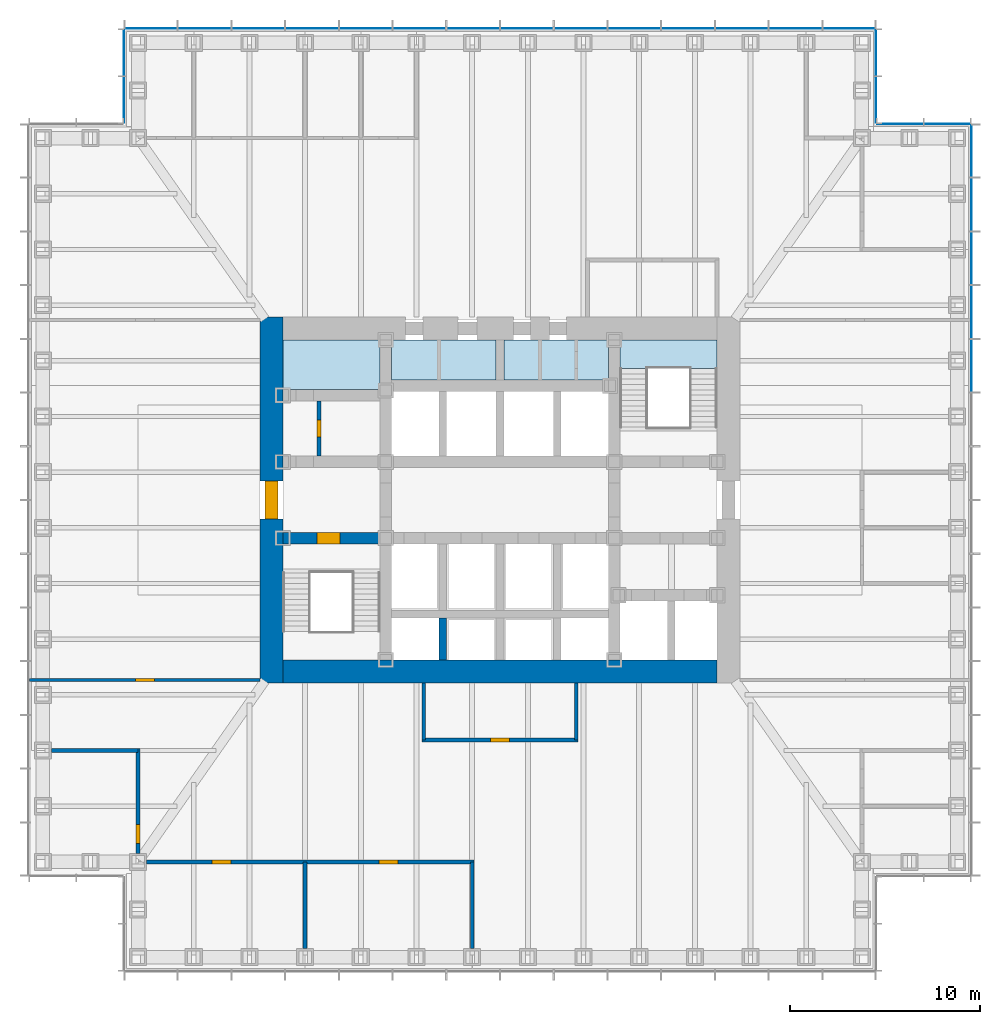
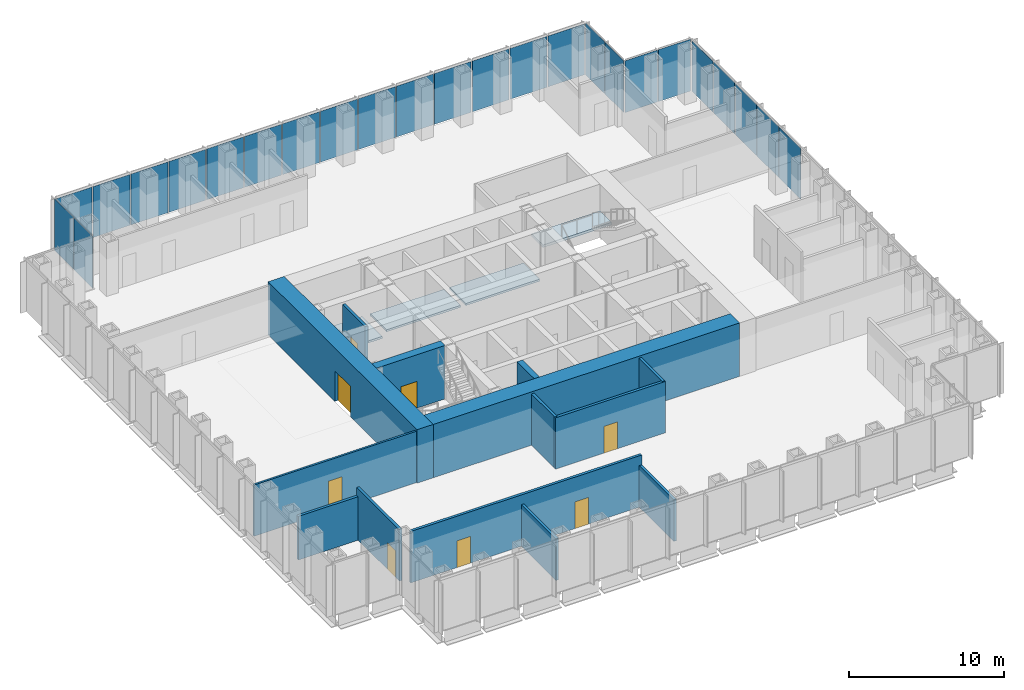
# One storey, part 8 of 16: 25 plates, 14 walls, 8 doors, 4 slabs, 8 openings, 6 elements without a shape of their own.
"""IFC4 building model written with IfcOpenShell, lengths in metres."""

from ifc_helpers import new_model, si_unit, direction, frame, frame_2d, origin, origin_2d, place, context, subcontext, project, spatial, polyline, rectangle, outline, extrude, material, layer, layer_set, type_object, element, fill, aggregate, save


model = new_model("IFC4")

# Units and contexts
model_context = context("Model", 3, precision=1e-05, world=origin(), true_north=direction((0.0, 1.0)))
body_context = subcontext(model_context, "Body", "Model", "MODEL_VIEW")
ifc_project = project(units=[si_unit("LENGTHUNIT", "METRE"), si_unit("AREAUNIT", "SQUARE_METRE"), si_unit("VOLUMEUNIT", "CUBIC_METRE"), si_unit("PLANEANGLEUNIT", "RADIAN"), si_unit("MASSUNIT", "GRAM", prefix="KILO")], contexts=[model_context])

# Site, building, storey
site_placement = place(None, origin())
site = spatial("IfcSite", under=ifc_project, at=site_placement, CompositionType="ELEMENT")
building_placement = place(site_placement, origin())
building = spatial("IfcBuilding", under=site, at=building_placement, Name="Daluyong Arena Tower", CompositionType="ELEMENT")
storey_placement = place(building_placement, frame((0.0, 0.0, 64.300048828125)))
storey = spatial("IfcBuildingStorey", under=building, at=storey_placement, Name="L13", CompositionType="ELEMENT", Elevation=64.300048828125)

# Curtain wall, plates
ifc_material_1 = material(Name="Bronze anodised aluminium and glass", Category="aluminium")
curtain_wall_type_1 = type_object("IfcCurtainWallType", Name="Curtain wall CW1", PredefinedType="USERDEFINED", material=ifc_material_1)
curtain_wall_1_placement = place(storey_placement, origin())
curtain_wall_1 = element("IfcCurtainWall", 1, at=curtain_wall_1_placement, inside=storey, type_object=curtain_wall_type_1, Name="curtain wall L13 E", ObjectType="UNITISED CURTAIN WALL", PredefinedType="USERDEFINED")
ifc_material_2 = material(Name="Tinted double glazed unit", Category="glass")
ifc_layer_1 = layer(ifc_material_2, 0.031982421875)
ifc_layer_set_1 = layer_set([ifc_layer_1], Name="Tinted double glazed unit")
plate_type_1 = type_object("IfcPlateType", Name="CW1 panel 32", PredefinedType="CURTAIN_PANEL", material=ifc_layer_set_1)
plate_1_placement = place(storey_placement, frame((80.75, 87.053466796875, 0.0), z_axis=(0.0, 0.0, 1.0), x_axis=(0.0, 1.0, 0.0)))
plate_1 = element("IfcPlate", 2, at=plate_1_placement, type_object=plate_type_1, Name="curtain wall L13 E panel 10", PredefinedType="CURTAIN_PANEL", context=body_context, shape_type="SweptSolid", body=[
    extrude(rectangle(XDim=2.741455078125, YDim=0.031982421875, at=origin_2d()), origin(), (0.0, 0.0, 1.0), 4.0),
])
plate_2_placement = place(storey_placement, frame((80.75, 89.875, 0.0), z_axis=(0.0, 0.0, 1.0), x_axis=(0.0, 1.0, 0.0)))
plate_2 = element("IfcPlate", 3, at=plate_2_placement, type_object=plate_type_1, Name="curtain wall L13 E panel 11", PredefinedType="CURTAIN_PANEL", context=body_context, shape_type="SweptSolid", body=[
    extrude(rectangle(XDim=2.741455078125, YDim=0.031982421875, at=origin_2d()), origin(), (0.0, 0.0, 1.0), 4.0),
])
plate_3_placement = place(storey_placement, frame((80.75, 92.696533203125, 0.0), z_axis=(0.0, 0.0, 1.0), x_axis=(0.0, 1.0, 0.0)))
plate_3 = element("IfcPlate", 4, at=plate_3_placement, type_object=plate_type_1, Name="curtain wall L13 E panel 12", PredefinedType="CURTAIN_PANEL", context=body_context, shape_type="SweptSolid", body=[
    extrude(rectangle(XDim=2.741455078125, YDim=0.031982421875, at=origin_2d()), origin(), (0.0, 0.0, 1.0), 4.0),
])
plate_4_placement = place(storey_placement, frame((80.75, 95.517822265625, 0.0), z_axis=(0.0, 0.0, 1.0), x_axis=(0.0, 1.0, 0.0)))
plate_4 = element("IfcPlate", 5, at=plate_4_placement, type_object=plate_type_1, Name="curtain wall L13 E panel 13", PredefinedType="CURTAIN_PANEL", context=body_context, shape_type="SweptSolid", body=[
    extrude(rectangle(XDim=2.741455078125, YDim=0.031982421875, at=origin_2d()), origin(), (0.0, 0.0, 1.0), 4.0),
])
plate_5_placement = place(storey_placement, frame((80.75, 98.3193359375, 0.0), z_axis=(0.0, 0.0, 1.0), x_axis=(0.0, 1.0, 0.0)))
plate_5 = element("IfcPlate", 6, at=plate_5_placement, type_object=plate_type_1, Name="curtain wall L13 E panel 14", PredefinedType="CURTAIN_PANEL", context=body_context, shape_type="SweptSolid", body=[
    extrude(rectangle(XDim=2.701416015625, YDim=0.031982421875, at=origin_2d()), origin(), (0.0, 0.0, 1.0), 4.0),
])
aggregate(curtain_wall_1, [plate_1, plate_2, plate_3, plate_4, plate_5])

curtain_wall_2_placement = place(storey_placement, origin())
curtain_wall_2 = element("IfcCurtainWall", 7, at=curtain_wall_2_placement, inside=storey, type_object=curtain_wall_type_1, Name="curtain wall L13 N", ObjectType="UNITISED CURTAIN WALL", PredefinedType="USERDEFINED")
plate_6_placement = place(storey_placement, frame((74.3193359375, 104.75, 0.0), z_axis=(0.0, 0.0, 1.0), x_axis=(-1.0, 0.0, 0.0)))
plate_6 = element("IfcPlate", 8, at=plate_6_placement, type_object=plate_type_1, Name="curtain wall L13 N panel 1", PredefinedType="CURTAIN_PANEL", context=body_context, shape_type="SweptSolid", body=[
    extrude(rectangle(XDim=2.701416015625, YDim=0.031982421875, at=origin_2d()), origin(), (0.0, 0.0, 1.0), 4.0),
])
plate_7_placement = place(storey_placement, frame((71.517822265625, 104.75, 0.0), z_axis=(0.0, 0.0, 1.0), x_axis=(-1.0, 0.0, 0.0)))
plate_7 = element("IfcPlate", 9, at=plate_7_placement, type_object=plate_type_1, Name="curtain wall L13 N panel 2", PredefinedType="CURTAIN_PANEL", context=body_context, shape_type="SweptSolid", body=[
    extrude(rectangle(XDim=2.741455078125, YDim=0.031982421875, at=origin_2d()), origin(), (0.0, 0.0, 1.0), 4.0),
])
plate_8_placement = place(storey_placement, frame((68.696533203125, 104.75, 0.0), z_axis=(0.0, 0.0, 1.0), x_axis=(-1.0, 0.0, 0.0)))
plate_8 = element("IfcPlate", 10, at=plate_8_placement, type_object=plate_type_1, Name="curtain wall L13 N panel 3", PredefinedType="CURTAIN_PANEL", context=body_context, shape_type="SweptSolid", body=[
    extrude(rectangle(XDim=2.741455078125, YDim=0.031982421875, at=origin_2d()), origin(), (0.0, 0.0, 1.0), 4.0),
])
plate_9_placement = place(storey_placement, frame((65.875, 104.75, 0.0), z_axis=(0.0, 0.0, 1.0), x_axis=(-1.0, 0.0, 0.0)))
plate_9 = element("IfcPlate", 11, at=plate_9_placement, type_object=plate_type_1, Name="curtain wall L13 N panel 4", PredefinedType="CURTAIN_PANEL", context=body_context, shape_type="SweptSolid", body=[
    extrude(rectangle(XDim=2.741455078125, YDim=0.031982421875, at=origin_2d()), origin(), (0.0, 0.0, 1.0), 4.0),
])
plate_10_placement = place(storey_placement, frame((63.053466796875, 104.75, 0.0), z_axis=(0.0, 0.0, 1.0), x_axis=(-1.0, 0.0, 0.0)))
plate_10 = element("IfcPlate", 12, at=plate_10_placement, type_object=plate_type_1, Name="curtain wall L13 N panel 5", PredefinedType="CURTAIN_PANEL", context=body_context, shape_type="SweptSolid", body=[
    extrude(rectangle(XDim=2.741455078125, YDim=0.031982421875, at=origin_2d()), origin(), (0.0, 0.0, 1.0), 4.0),
])
plate_11_placement = place(storey_placement, frame((60.232177734375, 104.75, 0.0), z_axis=(0.0, 0.0, 1.0), x_axis=(-1.0, 0.0, 0.0)))
plate_11 = element("IfcPlate", 13, at=plate_11_placement, type_object=plate_type_1, Name="curtain wall L13 N panel 6", PredefinedType="CURTAIN_PANEL", context=body_context, shape_type="SweptSolid", body=[
    extrude(rectangle(XDim=2.741455078125, YDim=0.031982421875, at=origin_2d()), origin(), (0.0, 0.0, 1.0), 4.0),
])
plate_12_placement = place(storey_placement, frame((57.41064453125, 104.75, 0.0), z_axis=(0.0, 0.0, 1.0), x_axis=(-1.0, 0.0, 0.0)))
plate_12 = element("IfcPlate", 14, at=plate_12_placement, type_object=plate_type_1, Name="curtain wall L13 N panel 7", PredefinedType="CURTAIN_PANEL", context=body_context, shape_type="SweptSolid", body=[
    extrude(rectangle(XDim=2.741455078125, YDim=0.031982421875, at=origin_2d()), origin(), (0.0, 0.0, 1.0), 4.0),
])
plate_13_placement = place(storey_placement, frame((54.58935546875, 104.75, 0.0), z_axis=(0.0, 0.0, 1.0), x_axis=(-1.0, 0.0, 0.0)))
plate_13 = element("IfcPlate", 15, at=plate_13_placement, type_object=plate_type_1, Name="curtain wall L13 N panel 8", PredefinedType="CURTAIN_PANEL", context=body_context, shape_type="SweptSolid", body=[
    extrude(rectangle(XDim=2.741455078125, YDim=0.031982421875, at=origin_2d()), origin(), (0.0, 0.0, 1.0), 4.0),
])
plate_14_placement = place(storey_placement, frame((51.767822265625, 104.75, 0.0), z_axis=(0.0, 0.0, 1.0), x_axis=(-1.0, 0.0, 0.0)))
plate_14 = element("IfcPlate", 16, at=plate_14_placement, type_object=plate_type_1, Name="curtain wall L13 N panel 9", PredefinedType="CURTAIN_PANEL", context=body_context, shape_type="SweptSolid", body=[
    extrude(rectangle(XDim=2.741455078125, YDim=0.031982421875, at=origin_2d()), origin(), (0.0, 0.0, 1.0), 4.0),
])
plate_15_placement = place(storey_placement, frame((48.946533203125, 104.75, 0.0), z_axis=(0.0, 0.0, 1.0), x_axis=(-1.0, 0.0, 0.0)))
plate_15 = element("IfcPlate", 17, at=plate_15_placement, type_object=plate_type_1, Name="curtain wall L13 N panel 10", PredefinedType="CURTAIN_PANEL", context=body_context, shape_type="SweptSolid", body=[
    extrude(rectangle(XDim=2.741455078125, YDim=0.031982421875, at=origin_2d()), origin(), (0.0, 0.0, 1.0), 4.0),
])
plate_16_placement = place(storey_placement, frame((46.125, 104.75, 0.0), z_axis=(0.0, 0.0, 1.0), x_axis=(-1.0, 0.0, 0.0)))
plate_16 = element("IfcPlate", 18, at=plate_16_placement, type_object=plate_type_1, Name="curtain wall L13 N panel 11", PredefinedType="CURTAIN_PANEL", context=body_context, shape_type="SweptSolid", body=[
    extrude(rectangle(XDim=2.741455078125, YDim=0.031982421875, at=origin_2d()), origin(), (0.0, 0.0, 1.0), 4.0),
])
plate_17_placement = place(storey_placement, frame((43.303466796875, 104.75, 0.0), z_axis=(0.0, 0.0, 1.0), x_axis=(-1.0, 0.0, 0.0)))
plate_17 = element("IfcPlate", 19, at=plate_17_placement, type_object=plate_type_1, Name="curtain wall L13 N panel 12", PredefinedType="CURTAIN_PANEL", context=body_context, shape_type="SweptSolid", body=[
    extrude(rectangle(XDim=2.741455078125, YDim=0.031982421875, at=origin_2d()), origin(), (0.0, 0.0, 1.0), 4.0),
])
plate_18_placement = place(storey_placement, frame((40.482177734375, 104.75, 0.0), z_axis=(0.0, 0.0, 1.0), x_axis=(-1.0, 0.0, 0.0)))
plate_18 = element("IfcPlate", 20, at=plate_18_placement, type_object=plate_type_1, Name="curtain wall L13 N panel 13", PredefinedType="CURTAIN_PANEL", context=body_context, shape_type="SweptSolid", body=[
    extrude(rectangle(XDim=2.741455078125, YDim=0.031982421875, at=origin_2d()), origin(), (0.0, 0.0, 1.0), 4.0),
])
plate_19_placement = place(storey_placement, frame((37.6806640625, 104.75, 0.0), z_axis=(0.0, 0.0, 1.0), x_axis=(-1.0, 0.0, 0.0)))
plate_19 = element("IfcPlate", 21, at=plate_19_placement, type_object=plate_type_1, Name="curtain wall L13 N panel 14", PredefinedType="CURTAIN_PANEL", context=body_context, shape_type="SweptSolid", body=[
    extrude(rectangle(XDim=2.701416015625, YDim=0.031982421875, at=origin_2d()), origin(), (0.0, 0.0, 1.0), 4.0),
])
aggregate(curtain_wall_2, [plate_6, plate_7, plate_8, plate_9, plate_10, plate_11, plate_12, plate_13, plate_14, plate_15, plate_16, plate_17, plate_18, plate_19])

ifc_material_3 = material(Name="Bronze anodised aluminium and glass", Category="aluminium")
curtain_wall_type_2 = type_object("IfcCurtainWallType", Name="Curtain wall CW7", PredefinedType="USERDEFINED", material=ifc_material_3)
curtain_wall_3_placement = place(storey_placement, origin())
curtain_wall_3 = element("IfcCurtainWall", 22, at=curtain_wall_3_placement, inside=storey, type_object=curtain_wall_type_2, Name="curtain wall L13 NE-N", ObjectType="UNITISED CURTAIN WALL", PredefinedType="USERDEFINED")
ifc_material_4 = material(Name="Tinted double glazed unit", Category="glass")
ifc_layer_2 = layer(ifc_material_4, 0.028076171875)
ifc_layer_set_2 = layer_set([ifc_layer_2], Name="Tinted double glazed unit")
plate_type_2 = type_object("IfcPlateType", Name="CW7 panel 28", PredefinedType="CURTAIN_PANEL", material=ifc_layer_set_2)
plate_20_placement = place(storey_placement, frame((79.485107421875, 99.75, 0.0), z_axis=(0.0, 0.0, 1.0), x_axis=(-1.0, 0.0, 0.0)))
plate_20 = element("IfcPlate", 23, at=plate_20_placement, type_object=plate_type_2, Name="curtain wall L13 NE-N panel 1", PredefinedType="CURTAIN_PANEL", context=body_context, shape_type="SweptSolid", body=[
    extrude(rectangle(XDim=2.409912109375, YDim=0.028076171875, at=origin_2d()), origin(), (0.0, 0.0, 1.0), 4.080078125),
])
plate_21_placement = place(storey_placement, frame((77.014892578125, 99.75, 0.0), z_axis=(0.0, 0.0, 1.0), x_axis=(-1.0, 0.0, 0.0)))
plate_21 = element("IfcPlate", 24, at=plate_21_placement, type_object=plate_type_2, Name="curtain wall L13 NE-N panel 2", PredefinedType="CURTAIN_PANEL", context=body_context, shape_type="SweptSolid", body=[
    extrude(rectangle(XDim=2.409912109375, YDim=0.028076171875, at=origin_2d()), origin(), (0.0, 0.0, 1.0), 4.080078125),
])
aggregate(curtain_wall_3, [plate_20, plate_21])

curtain_wall_4_placement = place(storey_placement, origin())
curtain_wall_4 = element("IfcCurtainWall", 25, at=curtain_wall_4_placement, inside=storey, type_object=curtain_wall_type_2, Name="curtain wall L13 NE-E", ObjectType="UNITISED CURTAIN WALL", PredefinedType="USERDEFINED")
plate_22_placement = place(storey_placement, frame((75.75, 101.014892578125, 0.0), z_axis=(0.0, 0.0, 1.0), x_axis=(0.0, 1.0, 0.0)))
plate_22 = element("IfcPlate", 26, at=plate_22_placement, type_object=plate_type_2, Name="curtain wall L13 NE-E panel 1", PredefinedType="CURTAIN_PANEL", context=body_context, shape_type="SweptSolid", body=[
    extrude(rectangle(XDim=2.409912109375, YDim=0.028076171875, at=origin_2d()), origin(), (0.0, 0.0, 1.0), 4.080078125),
])
plate_23_placement = place(storey_placement, frame((75.75, 103.485107421875, 0.0), z_axis=(0.0, 0.0, 1.0), x_axis=(0.0, 1.0, 0.0)))
plate_23 = element("IfcPlate", 27, at=plate_23_placement, type_object=plate_type_2, Name="curtain wall L13 NE-E panel 2", PredefinedType="CURTAIN_PANEL", context=body_context, shape_type="SweptSolid", body=[
    extrude(rectangle(XDim=2.409912109375, YDim=0.028076171875, at=origin_2d()), origin(), (0.0, 0.0, 1.0), 4.080078125),
])
aggregate(curtain_wall_4, [plate_22, plate_23])

curtain_wall_5_placement = place(storey_placement, origin())
curtain_wall_5 = element("IfcCurtainWall", 28, at=curtain_wall_5_placement, inside=storey, type_object=curtain_wall_type_2, Name="curtain wall L13 NW-W", ObjectType="UNITISED CURTAIN WALL", PredefinedType="USERDEFINED")
plate_24_placement = place(storey_placement, frame((36.25, 103.485107421875, 0.0), z_axis=(0.0, 0.0, 1.0), x_axis=(0.0, -1.0, 0.0)))
plate_24 = element("IfcPlate", 29, at=plate_24_placement, type_object=plate_type_2, Name="curtain wall L13 NW-W panel 1", PredefinedType="CURTAIN_PANEL", context=body_context, shape_type="SweptSolid", body=[
    extrude(rectangle(XDim=2.409912109375, YDim=0.028076171875, at=origin_2d()), origin(), (0.0, 0.0, 1.0), 4.080078125),
])
plate_25_placement = place(storey_placement, frame((36.25, 101.014892578125, 0.0), z_axis=(0.0, 0.0, 1.0), x_axis=(0.0, -1.0, 0.0)))
plate_25 = element("IfcPlate", 30, at=plate_25_placement, type_object=plate_type_2, Name="curtain wall L13 NW-W panel 2", PredefinedType="CURTAIN_PANEL", context=body_context, shape_type="SweptSolid", body=[
    extrude(rectangle(XDim=2.409912109375, YDim=0.028076171875, at=origin_2d()), origin(), (0.0, 0.0, 1.0), 4.080078125),
])
aggregate(curtain_wall_5, [plate_24, plate_25])

# Stair, slab
ifc_material_5 = material(Name="Concrete fc' 35 MPa", Category="concrete")
stair_type = type_object("IfcStairType", Name="Core exit stair", PredefinedType="HALF_TURN_STAIR", material=ifc_material_5)
stair_placement = place(storey_placement, origin())
stair = element("IfcStair", 31, at=stair_placement, inside=storey, type_object=stair_type, Name="exit stair B L13", PredefinedType="HALF_TURN_STAIR")
ifc_material_6 = material(Name="Concrete fc' 35 MPa", Category="concrete")
ifc_layer_3 = layer(ifc_material_6, 0.199951171875)
ifc_layer_set_3 = layer_set([ifc_layer_3], Name="Concrete fc' 35 MPa")
slab_type_1 = type_object("IfcSlabType", Name="Stair landing 200", PredefinedType="LANDING", material=ifc_layer_set_3)
slab_1_placement = place(storey_placement, frame((0.0, 0.0, 1.89990234375)))
slab_1 = element("IfcSlab", 32, at=slab_1_placement, type_object=slab_type_1, Name="STB landing 1", PredefinedType="LANDING", context=body_context, shape_type="SweptSolid", body=[
    extrude(outline(polyline([(62.300048828125, 86.905029296875), (67.39990234375, 86.905029296875), (67.39990234375, 88.39990234375), (62.300048828125, 88.39990234375), (62.300048828125, 86.905029296875)])), origin(), (0.0, 0.0, 1.0), 0.199951171875),
])
aggregate(stair, [slab_1])

# Slabs
ifc_material_7 = material(Name="Concrete fc' 35 MPa", Category="concrete")
ifc_layer_4 = layer(ifc_material_7, 0.159912109375)
ifc_layer_set_4 = layer_set([ifc_layer_4], Name="Concrete fc' 35 MPa")
slab_type_2 = type_object("IfcSlabType", Name="Tower floor slab 160", PredefinedType="FLOOR", material=ifc_layer_set_4)
slab_2_placement = place(storey_placement, frame((0.0, 0.0, -0.16015625)))
element("IfcSlab", 33, at=slab_2_placement, inside=storey, type_object=slab_type_2, Name="floor L13 part 4", PredefinedType="FLOOR", context=body_context, shape_type="SweptSolid", body=[
    extrude(outline(polyline([(44.60009765625, 88.39990234375), (44.60009765625, 85.800048828125), (49.699951171875, 85.800048828125), (49.699951171875, 88.39990234375), (44.60009765625, 88.39990234375)])), origin(), (0.0, 0.0, 1.0), 0.16015625),
])
slab_3_placement = place(storey_placement, frame((0.0, 0.0, -0.16015625)))
element("IfcSlab", 34, at=slab_3_placement, inside=storey, type_object=slab_type_2, Name="floor L13 part 6", PredefinedType="FLOOR", context=body_context, shape_type="SweptSolid", body=[
    extrude(outline(polyline([(50.300048828125, 88.39990234375), (50.300048828125, 86.300048828125), (55.800048828125, 86.300048828125), (55.800048828125, 88.39990234375), (50.300048828125, 88.39990234375)])), origin(), (0.0, 0.0, 1.0), 0.16015625),
])
slab_4_placement = place(storey_placement, frame((0.0, 0.0, -0.16015625)))
element("IfcSlab", 35, at=slab_4_placement, inside=storey, type_object=slab_type_2, Name="floor L13 part 13", PredefinedType="FLOOR", context=body_context, shape_type="SweptSolid", body=[
    extrude(outline(polyline([(56.199951171875, 86.300048828125), (61.699951171875, 86.300048828125), (61.699951171875, 88.39990234375), (56.199951171875, 88.39990234375), (56.199951171875, 86.300048828125)])), origin(), (0.0, 0.0, 1.0), 0.16015625),
])

# Wall, opening, door
ifc_material_8 = material(Name="Concrete fc' 60 MPa", Category="concrete")
ifc_layer_5 = layer(ifc_material_8, 0.60009765625)
ifc_layer_set_5 = layer_set([ifc_layer_5], Name="Concrete fc' 60 MPa")
wall_type_1 = type_object("IfcWallType", Name="Core inner wall 600", PredefinedType="SHEAR", material=ifc_layer_set_5)
wall_1_placement = place(storey_placement, frame((44.60009765625, 78.0, 0.0), z_axis=(0.0, 0.0, 1.0), x_axis=(1.0, 0.0, 0.0)))
wall_1 = element("IfcWall", 36, at=wall_1_placement, inside=storey, type_object=wall_type_1, Name="core inner wall at L13", PredefinedType="SHEAR", context=body_context, shape_type="SweptSolid", body=[
    extrude(rectangle(XDim=5.099853515625, YDim=0.60009765625, at=frame_2d((2.5498046875, 0.0))), origin(), (0.0, 0.0, 1.0), 4.199951171875),
])
opening_1_placement = place(wall_1_placement, frame((1.800048828125, 0.0, 0.0)))
opening_1 = element("IfcOpeningElement", 37, at=opening_1_placement, cuts=wall_1, Name="Opening 13009", PredefinedType="OPENING", context=body_context, shape_type="SweptSolid", body=[
    extrude(rectangle(XDim=1.199951171875, YDim=2.10009765625, at=frame_2d((0.60009765625, 1.050048828125))), frame((0.0, 0.31005859375, 0.0), z_axis=(0.0, -1.0, 0.0), x_axis=(1.0, 0.0, 0.0)), (0.0, 0.0, 1.0), 0.6201171875),
])
ifc_material_9 = material(Name="Steel door, fire rated", Category="steel")
door_type_1 = type_object("IfcDoorType", Name="Stair door 1200", OperationType="SINGLE_SWING_LEFT", PredefinedType="DOOR", material=ifc_material_9)
door_1_placement = place(opening_1_placement, origin())
door_1 = element("IfcDoor", 38, at=door_1_placement, inside=storey, type_object=door_type_1, Name="stair A door 13009", OperationType="SINGLE_SWING_LEFT", OverallHeight=2.10009765625, OverallWidth=1.199951171875, PredefinedType="DOOR", context=body_context, shape_type="SweptSolid", body=[
    extrude(rectangle(XDim=1.199951171875, YDim=2.10009765625, at=frame_2d((0.60009765625, 1.050048828125))), frame((0.0, 0.2998046875, 0.0), z_axis=(0.0, -1.0, 0.0), x_axis=(1.0, 0.0, 0.0)), (0.0, 0.0, 1.0), 0.599609375),
])
fill(opening_1, door_1)

ifc_material_10 = material(Name="Concrete fc' 60 MPa", Category="concrete")
ifc_layer_6 = layer(ifc_material_10, 1.199951171875)
ifc_layer_set_6 = layer_set([ifc_layer_6], Name="Concrete fc' 60 MPa")
wall_type_2 = type_object("IfcWallType", Name="Core wall 1200", PredefinedType="SHEAR", material=ifc_layer_set_6)
wall_2_placement = place(storey_placement, frame((44.0, 70.39990234375, 0.0), z_axis=(0.0, 0.0, 1.0), x_axis=(0.0, 1.0, 0.0)))
wall_2 = element("IfcWall", 39, at=wall_2_placement, inside=storey, type_object=wall_type_2, Name="core wall at L13", PredefinedType="SHEAR", context=body_context, shape_type="SweptSolid", body=[
    extrude(rectangle(XDim=19.2001953125, YDim=1.199951171875, at=frame_2d((9.60009765625, 0.0))), origin(), (0.0, 0.0, 1.0), 4.199951171875),
])
opening_2_placement = place(wall_2_placement, frame((8.60009765625, 0.0, 0.0)))
opening_2 = element("IfcOpeningElement", 40, at=opening_2_placement, cuts=wall_2, Name="Opening 13011", PredefinedType="OPENING", context=body_context, shape_type="SweptSolid", body=[
    extrude(rectangle(XDim=2.0, YDim=2.39990234375, at=frame_2d((1.0, 1.199951171875))), frame((0.0, 0.60986328125, 0.0), z_axis=(0.0, -1.0, 0.0), x_axis=(1.0, 0.0, 0.0)), (0.0, 0.0, 1.0), 1.219970703125),
])
ifc_material_11 = material(Name="Steel door, fire rated", Category="steel")
door_type_2 = type_object("IfcDoorType", Name="Core lobby double door 2000", OperationType="DOUBLE_DOOR_SINGLE_SWING", PredefinedType="DOOR", material=ifc_material_11)
door_2_placement = place(opening_2_placement, origin())
door_2 = element("IfcDoor", 41, at=door_2_placement, inside=storey, type_object=door_type_2, Name="core lobby door west 13011", OperationType="DOUBLE_DOOR_SINGLE_SWING", OverallHeight=2.39990234375, OverallWidth=2.0, PredefinedType="DOOR", context=body_context, shape_type="SweptSolid", body=[
    extrude(rectangle(XDim=2.0, YDim=2.39990234375, at=frame_2d((1.0, 1.199951171875))), frame((0.0, 0.35009765625, 0.0), z_axis=(0.0, -1.0, 0.0), x_axis=(1.0, 0.0, 0.0)), (0.0, 0.0, 1.0), 0.699951171875),
])
fill(opening_2, door_2)

# Wall
wall_3_placement = place(storey_placement, frame((44.60009765625, 71.0, 0.0), z_axis=(0.0, 0.0, 1.0), x_axis=(1.0, 0.0, 0.0)))
element("IfcWall", 42, at=wall_3_placement, inside=storey, type_object=wall_type_2, Name="core wall at L13", PredefinedType="SHEAR", context=body_context, shape_type="SweptSolid", body=[
    extrude(rectangle(XDim=22.7998046875, YDim=1.199951171875, at=frame_2d((11.39990234375, 0.0))), origin(), (0.0, 0.0, 1.0), 4.199951171875),
])

# Wall, opening, door
ifc_material_12 = material(Name="Concrete block partition, fire rated", Category="concrete")
ifc_layer_7 = layer(ifc_material_12, 0.199951171875)
ifc_layer_set_7 = layer_set([ifc_layer_7], Name="Concrete block partition, fire rated")
wall_type_3 = type_object("IfcWallType", Name="Fire-rated partition 200", PredefinedType="PARTITIONING", material=ifc_layer_set_7)
wall_4_placement = place(storey_placement, frame((46.5, 82.300048828125, 0.0), z_axis=(0.0, 0.0, 1.0), x_axis=(0.0, 1.0, 0.0)))
wall_4 = element("IfcWall", 43, at=wall_4_placement, inside=storey, type_object=wall_type_3, Name="toilet lobby partition at L13", PredefinedType="PARTITIONING", context=body_context, shape_type="SweptSolid", body=[
    extrude(rectangle(XDim=2.89990234375, YDim=0.199951171875, at=frame_2d((1.449951171875, 0.0))), origin(), (0.0, 0.0, 1.0), 4.0400390625),
])
opening_3_placement = place(wall_4_placement, frame((1.0, 0.0, 0.0)))
opening_3 = element("IfcOpeningElement", 44, at=opening_3_placement, cuts=wall_4, Name="Opening 13002", PredefinedType="OPENING", context=body_context, shape_type="SweptSolid", body=[
    extrude(rectangle(XDim=0.89990234375, YDim=2.10009765625, at=frame_2d((0.449951171875, 1.050048828125))), frame((0.0, 0.10986328125, 0.0), z_axis=(0.0, -1.0, 0.0), x_axis=(1.0, 0.0, 0.0)), (0.0, 0.0, 1.0), 0.219970703125),
])
ifc_material_13 = material(Name="Timber door", Category="wood")
door_type_3 = type_object("IfcDoorType", Name="Toilet door 900", OperationType="SINGLE_SWING_RIGHT", PredefinedType="DOOR", material=ifc_material_13)
door_3_placement = place(opening_3_placement, origin())
door_3 = element("IfcDoor", 45, at=door_3_placement, inside=storey, type_object=door_type_3, Name="male toilet door 13002", OperationType="SINGLE_SWING_RIGHT", OverallHeight=2.10009765625, OverallWidth=0.89990234375, PredefinedType="DOOR", context=body_context, shape_type="SweptSolid", body=[
    extrude(rectangle(XDim=0.89990234375, YDim=2.10009765625, at=frame_2d((0.449951171875, 1.050048828125))), frame((0.0, 0.099609375, 0.0), z_axis=(0.0, -1.0, 0.0), x_axis=(1.0, 0.0, 0.0)), (0.0, 0.0, 1.0), 0.199462890625),
])
fill(opening_3, door_3)

ifc_material_14 = material(Name="Glazed aluminium partition", Category="aluminium")
ifc_layer_8 = layer(ifc_material_14, 0.14990234375)
ifc_layer_set_8 = layer_set([ifc_layer_8], Name="Glazed aluminium partition")
wall_type_4 = type_object("IfcWallType", Name="Glazed partition 150", PredefinedType="PARTITIONING", material=ifc_layer_set_8)
wall_5_placement = place(storey_placement, frame((31.31005859375, 70.550048828125, 0.0), z_axis=(0.0, 0.0, 1.0), x_axis=(1.0, 0.0, 0.0)))
wall_5 = element("IfcWall", 46, at=wall_5_placement, inside=storey, type_object=wall_type_4, Name="glazed partition at L13", PredefinedType="PARTITIONING", context=body_context, shape_type="SweptSolid", body=[
    extrude(rectangle(XDim=12.08984375, YDim=0.14990234375, at=frame_2d((6.044921875, 0.0))), origin(), (0.0, 0.0, 1.0), 4.0400390625),
])
opening_4_placement = place(wall_5_placement, frame((5.544921875, 0.0, 0.0)))
opening_4 = element("IfcOpeningElement", 47, at=opening_4_placement, cuts=wall_5, Name="Opening 13037", PredefinedType="OPENING", context=body_context, shape_type="SweptSolid", body=[
    extrude(rectangle(XDim=1.0, YDim=2.39990234375, at=frame_2d((0.5, 1.199951171875))), frame((0.0, 0.0849609375, 0.0), z_axis=(0.0, -1.0, 0.0), x_axis=(1.0, 0.0, 0.0)), (0.0, 0.0, 1.0), 0.169921875),
])
ifc_material_15 = material(Name="Glazed aluminium door", Category="aluminium")
door_type_4 = type_object("IfcDoorType", Name="Meeting room glazed door 1000", OperationType="SINGLE_SWING_RIGHT", PredefinedType="DOOR", material=ifc_material_15)
door_4_placement = place(opening_4_placement, origin())
door_4 = element("IfcDoor", 48, at=door_4_placement, inside=storey, type_object=door_type_4, Name="team area screen door 13037", OperationType="SINGLE_SWING_RIGHT", OverallHeight=2.39990234375, OverallWidth=1.0, PredefinedType="DOOR", context=body_context, shape_type="SweptSolid", body=[
    extrude(rectangle(XDim=1.0, YDim=2.39990234375, at=frame_2d((0.5, 1.199951171875))), frame((0.0, 0.07470703125, 0.0), z_axis=(0.0, -1.0, 0.0), x_axis=(1.0, 0.0, 0.0)), (0.0, 0.0, 1.0), 0.1494140625),
])
fill(opening_4, door_4)

# Walls
ifc_material_16 = material(Name="Concrete fc' 45 MPa", Category="concrete")
ifc_layer_9 = layer(ifc_material_16, 0.39990234375)
ifc_layer_set_9 = layer_set([ifc_layer_9], Name="Concrete fc' 45 MPa")
wall_type_5 = type_object("IfcWallType", Name="Lift shaft wall 400", PredefinedType="SHEAR", material=ifc_layer_set_9)
wall_6_placement = place(storey_placement, frame((53.0, 71.60009765625, 0.0), z_axis=(0.0, 0.0, 1.0), x_axis=(0.0, 1.0, 0.0)))
element("IfcWall", 49, at=wall_6_placement, inside=storey, type_object=wall_type_5, Name="lift shaft wall at L13", PredefinedType="SHEAR", context=body_context, shape_type="SweptSolid", body=[
    extrude(rectangle(XDim=2.199951171875, YDim=0.39990234375, at=frame_2d((1.10009765625, 0.0))), origin(), (0.0, 0.0, 1.0), 4.199951171875),
])
ifc_material_17 = material(Name="Concrete block partition", Category="concrete")
ifc_layer_10 = layer(ifc_material_17, 0.199951171875)
ifc_layer_set_10 = layer_set([ifc_layer_10], Name="Concrete block partition")
wall_type_6 = type_object("IfcWallType", Name="Partition 200", PredefinedType="PARTITIONING", material=ifc_layer_set_10)
for number, where, z_axis, x_axis, name in (
    (50, (45.769287109375, 56.449951171875, 0.0), (0.0, 0.0, 1.0), (0.0, 1.0, 0.0), "partition at L13"),
    (51, (54.53857421875, 56.449951171875, 0.0), (0.0, 0.0, 1.0), (0.0, 1.0, 0.0), "partition at L13"),
):
    element("IfcWall", number, at=place(storey_placement, frame(where, z_axis=z_axis, x_axis=x_axis)), inside=storey, type_object=wall_type_6, Name=name, PredefinedType="PARTITIONING", context=body_context, shape_type="SweptSolid", body=[
        extrude(rectangle(XDim=4.550048828125, YDim=0.199951171875, at=frame_2d((2.27490234375, 0.0))), origin(), (0.0, 0.0, 1.0), 3.27783203125),
    ])
wall_7_placement = place(storey_placement, frame((32.449951171875, 66.84619140625, 0.0), z_axis=(0.0, 0.0, 1.0), x_axis=(1.0, 0.0, 0.0)))
element("IfcWall", 52, at=wall_7_placement, inside=storey, type_object=wall_type_6, Name="partition at L13", PredefinedType="PARTITIONING", context=body_context, shape_type="SweptSolid", body=[
    extrude(rectangle(XDim=4.550048828125, YDim=0.199951171875, at=frame_2d((2.27490234375, 0.0))), origin(), (0.0, 0.0, 1.0), 3.427734375),
])
for number, where, z_axis, x_axis, name in (
    (53, (52.0, 67.39990234375, 0.0), (0.0, 0.0, 1.0), (0.0, 1.0, 0.0), "partition at L13"),
    (54, (60.0, 67.39990234375, 0.0), (0.0, 0.0, 1.0), (0.0, 1.0, 0.0), "partition at L13"),
):
    element("IfcWall", number, at=place(storey_placement, frame(where, z_axis=z_axis, x_axis=x_axis)), inside=storey, type_object=wall_type_6, Name=name, PredefinedType="PARTITIONING", context=body_context, shape_type="SweptSolid", body=[
        extrude(rectangle(XDim=3.0, YDim=0.199951171875, at=frame_2d((1.5, 0.0))), origin(), (0.0, 0.0, 1.0), 4.0400390625),
    ])

# Wall, openings, doors
wall_8_placement = place(storey_placement, frame((37.449951171875, 61.0, 0.0), z_axis=(0.0, 0.0, 1.0), x_axis=(1.0, 0.0, 0.0)))
wall_8 = element("IfcWall", 55, at=wall_8_placement, inside=storey, type_object=wall_type_6, Name="partition at L13", PredefinedType="PARTITIONING", context=body_context, shape_type="SweptSolid", body=[
    extrude(rectangle(XDim=17.1884765625, YDim=0.199951171875, at=frame_2d((8.59423828125, 0.0))), origin(), (0.0, 0.0, 1.0), 4.0400390625),
])
opening_5_placement = place(wall_8_placement, frame((3.4345703125, 0.0, 0.0)))
opening_5 = element("IfcOpeningElement", 56, at=opening_5_placement, cuts=wall_8, Name="Opening 13022", PredefinedType="OPENING", context=body_context, shape_type="SweptSolid", body=[
    extrude(rectangle(XDim=1.0, YDim=2.10009765625, at=frame_2d((0.5, 1.050048828125))), frame((0.0, 0.10986328125, 0.0), z_axis=(0.0, -1.0, 0.0), x_axis=(1.0, 0.0, 0.0)), (0.0, 0.0, 1.0), 0.219970703125),
])
opening_6_placement = place(wall_8_placement, frame((12.203857421875, 0.0, 0.0)))
opening_6 = element("IfcOpeningElement", 57, at=opening_6_placement, cuts=wall_8, Name="Opening 13023", PredefinedType="OPENING", context=body_context, shape_type="SweptSolid", body=[
    extrude(rectangle(XDim=1.0, YDim=2.10009765625, at=frame_2d((0.5, 1.050048828125))), frame((0.0, 0.10986328125, 0.0), z_axis=(0.0, -1.0, 0.0), x_axis=(1.0, 0.0, 0.0)), (0.0, 0.0, 1.0), 0.219970703125),
])
ifc_material_18 = material(Name="Timber door", Category="wood")
door_type_5 = type_object("IfcDoorType", Name="Room door 1000", OperationType="SINGLE_SWING_LEFT", PredefinedType="DOOR", material=ifc_material_18)
door_5_placement = place(opening_5_placement, origin())
door_5 = element("IfcDoor", 58, at=door_5_placement, inside=storey, type_object=door_type_5, Name="training room door 13022", OperationType="SINGLE_SWING_LEFT", OverallHeight=2.10009765625, OverallWidth=1.0, PredefinedType="DOOR", context=body_context, shape_type="SweptSolid", body=[
    extrude(rectangle(XDim=1.0, YDim=2.10009765625, at=frame_2d((0.5, 1.050048828125))), frame((0.0, 0.099609375, 0.0), z_axis=(0.0, -1.0, 0.0), x_axis=(1.0, 0.0, 0.0)), (0.0, 0.0, 1.0), 0.199462890625),
])
fill(opening_5, door_5)
door_6_placement = place(opening_6_placement, origin())
door_6 = element("IfcDoor", 59, at=door_6_placement, inside=storey, type_object=door_type_5, Name="training room door 13023", OperationType="SINGLE_SWING_LEFT", OverallHeight=2.10009765625, OverallWidth=1.0, PredefinedType="DOOR", context=body_context, shape_type="SweptSolid", body=[
    extrude(rectangle(XDim=1.0, YDim=2.10009765625, at=frame_2d((0.5, 1.050048828125))), frame((0.0, 0.099609375, 0.0), z_axis=(0.0, -1.0, 0.0), x_axis=(1.0, 0.0, 0.0)), (0.0, 0.0, 1.0), 0.199462890625),
])
fill(opening_6, door_6)

# Wall, opening, door
wall_9_placement = place(storey_placement, frame((51.89990234375, 67.39990234375, 0.0), z_axis=(0.0, 0.0, 1.0), x_axis=(1.0, 0.0, 0.0)))
wall_9 = element("IfcWall", 60, at=wall_9_placement, inside=storey, type_object=wall_type_6, Name="partition at L13", PredefinedType="PARTITIONING", context=body_context, shape_type="SweptSolid", body=[
    extrude(rectangle(XDim=8.2001953125, YDim=0.199951171875, at=frame_2d((4.10009765625, 0.0))), origin(), (0.0, 0.0, 1.0), 4.0400390625),
])
opening_7_placement = place(wall_9_placement, frame((3.60009765625, 0.0, 0.0)))
opening_7 = element("IfcOpeningElement", 61, at=opening_7_placement, cuts=wall_9, Name="Opening 13036", PredefinedType="OPENING", context=body_context, shape_type="SweptSolid", body=[
    extrude(rectangle(XDim=1.0, YDim=2.10009765625, at=frame_2d((0.5, 1.050048828125))), frame((0.0, 0.10986328125, 0.0), z_axis=(0.0, -1.0, 0.0), x_axis=(1.0, 0.0, 0.0)), (0.0, 0.0, 1.0), 0.219970703125),
])
door_7_placement = place(opening_7_placement, origin())
door_7 = element("IfcDoor", 62, at=door_7_placement, inside=storey, type_object=door_type_5, Name="comms room door 13036", OperationType="SINGLE_SWING_LEFT", OverallHeight=2.10009765625, OverallWidth=1.0, PredefinedType="DOOR", context=body_context, shape_type="SweptSolid", body=[
    extrude(rectangle(XDim=1.0, YDim=2.10009765625, at=frame_2d((0.5, 1.050048828125))), frame((0.0, 0.099609375, 0.0), z_axis=(0.0, -1.0, 0.0), x_axis=(1.0, 0.0, 0.0)), (0.0, 0.0, 1.0), 0.199462890625),
])
fill(opening_7, door_7)

wall_10_placement = place(storey_placement, frame((37.0, 61.449951171875, 0.0), z_axis=(0.0, 0.0, 1.0), x_axis=(0.0, 1.0, 0.0)))
wall_10 = element("IfcWall", 63, at=wall_10_placement, inside=storey, type_object=wall_type_6, Name="partition at L13", PredefinedType="PARTITIONING", context=body_context, shape_type="SweptSolid", body=[
    extrude(rectangle(XDim=5.49609375, YDim=0.199951171875, at=frame_2d((2.748046875, 0.0))), origin(), (0.0, 0.0, 1.0), 4.0400390625),
])
opening_8_placement = place(wall_10_placement, frame((0.511474609375, 0.0, 0.0)))
opening_8 = element("IfcOpeningElement", 64, at=opening_8_placement, cuts=wall_10, Name="Opening 13034", PredefinedType="OPENING", context=body_context, shape_type="SweptSolid", body=[
    extrude(rectangle(XDim=1.0, YDim=2.10009765625, at=frame_2d((0.5, 1.050048828125))), frame((0.0, 0.10986328125, 0.0), z_axis=(0.0, -1.0, 0.0), x_axis=(1.0, 0.0, 0.0)), (0.0, 0.0, 1.0), 0.219970703125),
])
door_8_placement = place(opening_8_placement, origin())
door_8 = element("IfcDoor", 65, at=door_8_placement, inside=storey, type_object=door_type_5, Name="pantry door 13034", OperationType="SINGLE_SWING_LEFT", OverallHeight=2.10009765625, OverallWidth=1.0, PredefinedType="DOOR", context=body_context, shape_type="SweptSolid", body=[
    extrude(rectangle(XDim=1.0, YDim=2.10009765625, at=frame_2d((0.5, 1.050048828125))), frame((0.0, 0.099609375, 0.0), z_axis=(0.0, -1.0, 0.0), x_axis=(1.0, 0.0, 0.0)), (0.0, 0.0, 1.0), 0.199462890625),
])
fill(opening_8, door_8)

save(model, "model.ifc")
